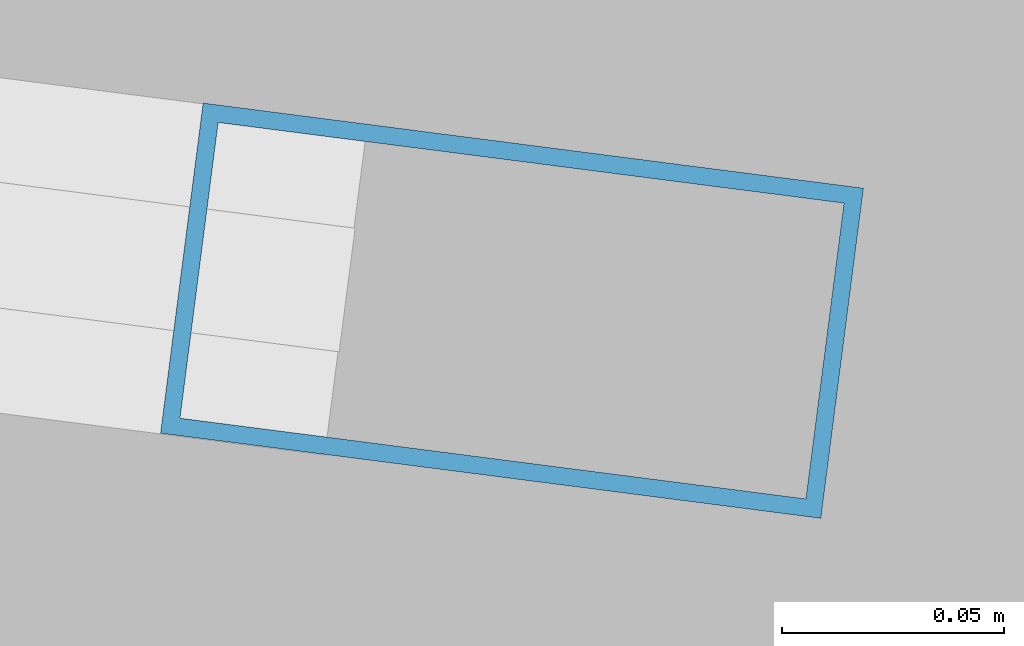
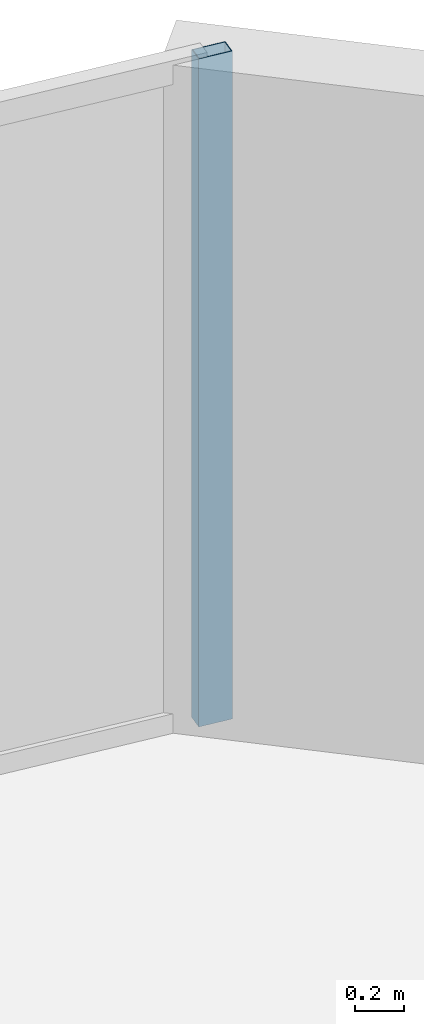
# One storey, part 21 of 30: 1 member, 1 element without a shape of its own.
"""IFC4 building model written with IfcOpenShell, lengths in metres."""

from ifc_helpers import new_model, si_unit, direction, frame, origin, origin_2d, place, context, subcontext, project, spatial, hollow_rectangle, extrude, material, layer, layer_set, material_profile, profile_set, type_object, element, aggregate, save


model = new_model("IFC4")

# Units and contexts
model_context = context("Model", 3, precision=1e-05, world=origin(), true_north=direction((0.0, 1.0)))
body_context = subcontext(model_context, "Body", "Model", "MODEL_VIEW")
ifc_project = project(units=[si_unit("LENGTHUNIT", "METRE"), si_unit("AREAUNIT", "SQUARE_METRE"), si_unit("VOLUMEUNIT", "CUBIC_METRE"), si_unit("PLANEANGLEUNIT", "RADIAN"), si_unit("MASSUNIT", "GRAM", prefix="KILO")], contexts=[model_context])

# Site, building, storey
site_placement = place(None, origin())
site = spatial("IfcSite", under=ifc_project, at=site_placement, CompositionType="ELEMENT")
building_placement = place(site_placement, origin())
building = spatial("IfcBuilding", under=site, at=building_placement, Name="Kazevale Care Tower and Concert Hall", CompositionType="ELEMENT")
storey_placement = place(building_placement, frame((0.0, 0.0, 70.800048828125)))
storey = spatial("IfcBuildingStorey", under=building, at=storey_placement, Name="L18", CompositionType="ELEMENT", Elevation=70.800048828125)

# Curtain wall, member
ifc_material_1 = material(Name="Aluminium 6063-T6 and Low-E Glass", Category="aluminium")
ifc_layer = layer(ifc_material_1, 0.179931640625)
ifc_layer_set = layer_set([ifc_layer], Name="Aluminium 6063-T6 and Low-E Glass")
curtain_wall_type = type_object("IfcCurtainWallType", Name="Convex Recessed Sunroom Curtain Wall CW-3", PredefinedType="NOTDEFINED", material=ifc_layer_set)
curtain_wall_placement = place(storey_placement, origin())
curtain_wall = element("IfcCurtainWall", 1, at=curtain_wall_placement, inside=storey, type_object=curtain_wall_type, Name="cw:L18:f16", PredefinedType="NOTDEFINED")
ifc_material_2 = material(Name="Aluminium 6063-T6", Category="aluminium")
ifc_material_profile = material_profile(ifc_material_2, hollow_rectangle(XDim=0.074951171875, YDim=0.14990234375, WallThickness=0.00390625, at=origin_2d()), Name="ALU75x150x4")
ifc_profile_set = profile_set([ifc_material_profile], Name="Aluminium 6063-T6")
member_type = type_object("IfcMemberType", Name="CW-3 Mullion ALU75x150x4", PredefinedType="MULLION", material=ifc_profile_set)
member_placement = place(storey_placement, frame((63.619873046875, 61.826904296875, 0.0), z_axis=(0.0, 0.0, 1.0), x_axis=(0.127869904852, 0.991790949461, 0.0)))
member = element("IfcMember", 2, at=member_placement, type_object=member_type, Name="CW-3 mullion 2", PredefinedType="MULLION", context=body_context, shape_type="SweptSolid", body=[
    extrude(hollow_rectangle(XDim=0.074951171875, YDim=0.14990234375, WallThickness=0.00390625, at=origin_2d()), origin(), (0.0, 0.0, 1.0), 3.35986328125),
])
aggregate(curtain_wall, [member])

save(model, "model.ifc")
